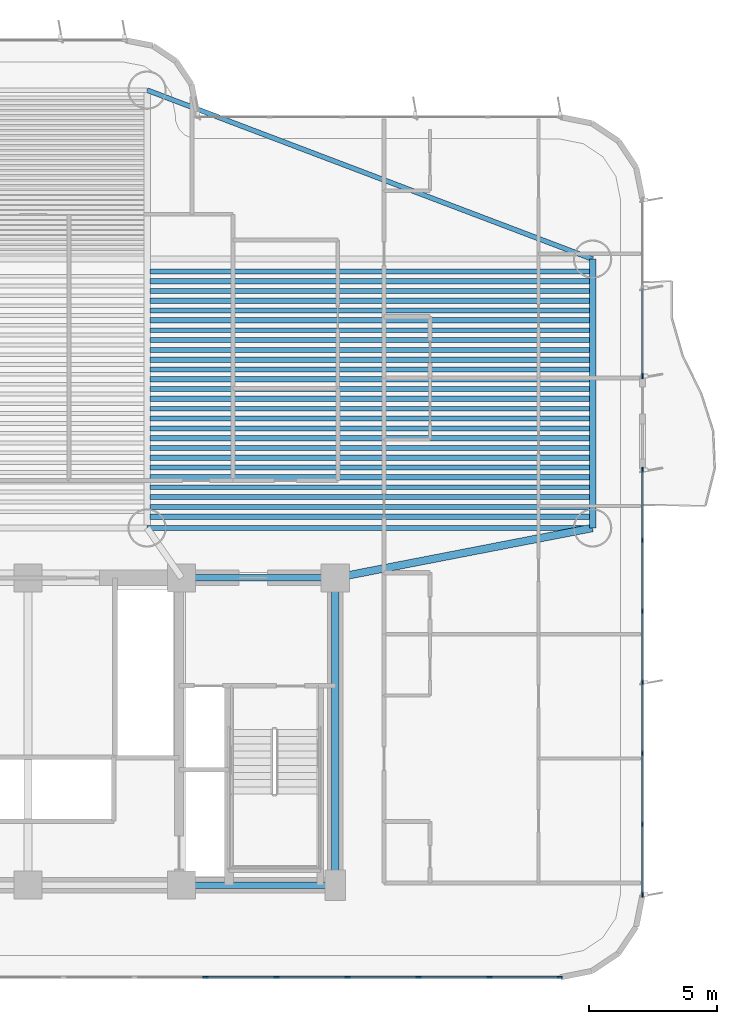
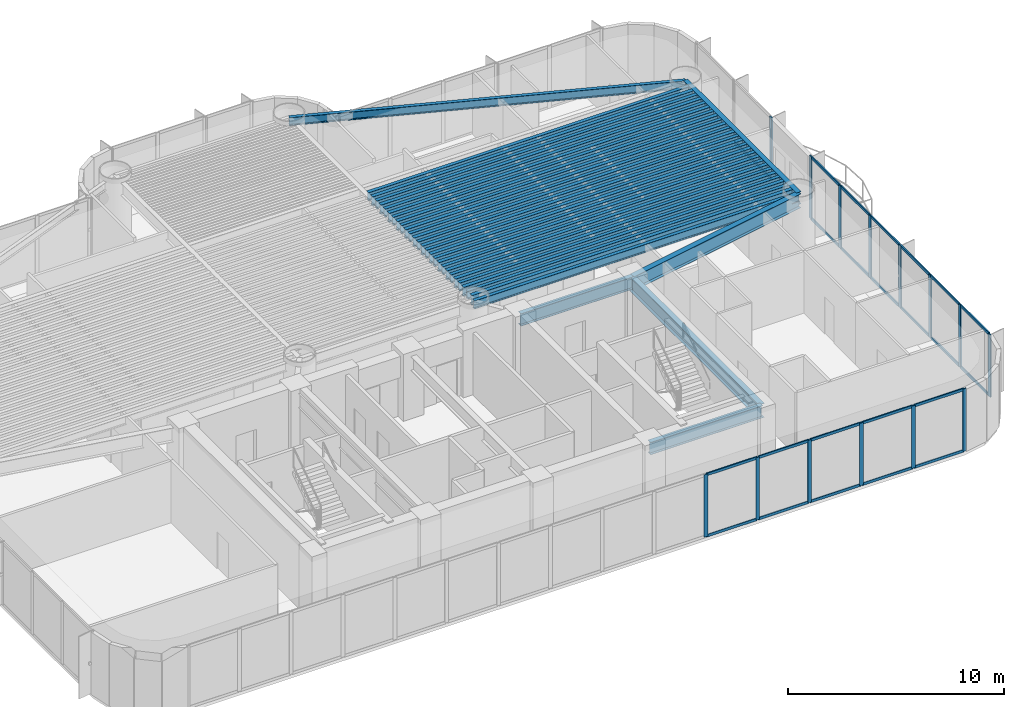
# One storey, part 5 of 18: 37 members, 33 beams, 3 elements without a shape of their own.
"""IFC4 building model written with IfcOpenShell, lengths in metres."""

from ifc_helpers import new_model, si_unit, direction, frame, origin, origin_2d, place, context, subcontext, project, spatial, rectangle, i_section, extrude, source, transform, mapped, material, layer, layer_set, material_profile, profile_set, type_object, element, aggregate, save


model = new_model("IFC4")

# Units and contexts
model_context = context("Model", 3, precision=1e-05, world=origin(), true_north=direction((0.0, 1.0)))
body_context = subcontext(model_context, "Body", "Model", "MODEL_VIEW")
ifc_project = project(units=[si_unit("LENGTHUNIT", "METRE"), si_unit("AREAUNIT", "SQUARE_METRE"), si_unit("VOLUMEUNIT", "CUBIC_METRE"), si_unit("PLANEANGLEUNIT", "RADIAN"), si_unit("MASSUNIT", "GRAM", prefix="KILO")], contexts=[model_context])

# Site, building, storey
site_placement = place(None, origin())
site = spatial("IfcSite", under=ifc_project, at=site_placement, CompositionType="ELEMENT")
building_placement = place(site_placement, origin())
building = spatial("IfcBuilding", under=site, at=building_placement, Name="Brelvock Crest Care Tower", CompositionType="ELEMENT")
storey_placement = place(building_placement, frame((0.0, 0.0, 72.360107421875)))
storey = spatial("IfcBuildingStorey", under=building, at=storey_placement, Name="L18", CompositionType="ELEMENT", Elevation=72.360107421875)

# Beams
ifc_material_1 = material(Name="Steel Grade 350", Category="steel")
ifc_material_profile_1 = material_profile(ifc_material_1, i_section(OverallWidth=0.25, OverallDepth=0.699951171875, WebThickness=0.011962890625, FlangeThickness=0.02001953125, at=origin_2d()), Name="700WB150")
ifc_profile_set_1 = profile_set([ifc_material_profile_1], Name="Steel Grade 350")
beam_type_1 = type_object("IfcBeamType", Name="BM-G4", PredefinedType="BEAM", material=ifc_profile_set_1)
shared_shape_1 = source(origin(), body_context, "Body", "SweptSolid", [
    extrude(i_section(OverallWidth=0.25, OverallDepth=0.699951171875, WebThickness=0.011962890625, FlangeThickness=0.02001953125, at=origin_2d()), origin(), (0.0, 0.0, 1.0), 6.0),
])
for number, where, z_axis, x_axis, name in (
    (1, (42.0, 6.0, 3.179931640625), (1.0, 0.0, 0.0), (0.0, 1.0, 0.0), "BM-CORES-L18-4"),
    (2, (42.0, 18.0, 3.179931640625), (1.0, 0.0, 0.0), (0.0, 1.0, 0.0), "BM-COREN-L18-4"),
):
    element("IfcBeam", number, at=place(storey_placement, frame(where, z_axis=z_axis, x_axis=x_axis)), inside=storey, type_object=beam_type_1, Name=name, PredefinedType="BEAM", context=body_context, shape_type="MappedRepresentation", body=[
        mapped(shared_shape_1, transform((0.0, 0.0, 0.0), x_axis=(1.0, 0.0, 0.0), y_axis=(0.0, 1.0, 0.0), z_axis=(0.0, 0.0, 1.0), scale=1.0)),
    ])
ifc_material_profile_2 = material_profile(ifc_material_1, i_section(OverallWidth=0.300048828125, OverallDepth=0.800048828125, WebThickness=0.013916015625, FlangeThickness=0.02197265625, at=origin_2d()), Name="800WB192")
ifc_profile_set_2 = profile_set([ifc_material_profile_2], Name="Steel Grade 350")
beam_type_2 = type_object("IfcBeamType", Name="BM-G5", PredefinedType="BEAM", material=ifc_profile_set_2)
shared_shape_2 = source(origin(), body_context, "Body", "SweptSolid", [
    extrude(i_section(OverallWidth=0.300048828125, OverallDepth=0.800048828125, WebThickness=0.013916015625, FlangeThickness=0.02197265625, at=origin_2d()), origin(), (0.0, 0.0, 1.0), 12.0),
])
beam_1_placement = place(storey_placement, frame((48.0, 6.0, 3.1298828125), z_axis=(0.0, 1.0, 0.0), x_axis=(-1.0, 0.0, 0.0)))
element("IfcBeam", 3, at=beam_1_placement, inside=storey, type_object=beam_type_2, Name="BM-COREX-L18-5", PredefinedType="BEAM", context=body_context, shape_type="MappedRepresentation", body=[
    mapped(shared_shape_2, transform((0.0, 0.0, 0.0), x_axis=(1.0, 0.0, 0.0), y_axis=(0.0, 1.0, 0.0), z_axis=(0.0, 0.0, 1.0), scale=1.0)),
])
shared_shape_3 = source(origin(), body_context, "Body", "SweptSolid", [
    extrude(i_section(OverallWidth=0.25, OverallDepth=0.699951171875, WebThickness=0.011962890625, FlangeThickness=0.02001953125, at=origin_2d()), origin(), (0.0, 0.0, 1.0), 10.5),
])
beam_2_placement = place(storey_placement, frame((58.050048828125, 19.949951171875, 3.179931640625), z_axis=(0.0, 1.0, 0.0), x_axis=(-1.0, 0.0, 0.0)))
element("IfcBeam", 4, at=beam_2_placement, inside=storey, type_object=beam_type_1, Name="BM-TWR-L18-02", PredefinedType="BEAM", context=body_context, shape_type="MappedRepresentation", body=[
    mapped(shared_shape_3, transform((0.0, 0.0, 0.0), x_axis=(1.0, 0.0, 0.0), y_axis=(0.0, 1.0, 0.0), z_axis=(0.0, 0.0, 1.0), scale=1.0)),
])
ifc_material_profile_3 = material_profile(ifc_material_1, i_section(OverallWidth=0.19091796875, OverallDepth=0.4599609375, WebThickness=0.010009765625, FlangeThickness=0.01611328125, FilletRadius=0.011474609375, at=origin_2d()), Name="460UB82.1")
ifc_profile_set_3 = profile_set([ifc_material_profile_3], Name="Steel Grade 350")
beam_type_3 = type_object("IfcBeamType", Name="BM-SP2", PredefinedType="SPANDREL", material=ifc_profile_set_3)
shared_shape_4 = source(origin(), body_context, "Body", "SweptSolid", [
    extrude(i_section(OverallWidth=0.19091796875, OverallDepth=0.4599609375, WebThickness=0.010009765625, FlangeThickness=0.01611328125, FilletRadius=0.011474609375, at=origin_2d()), origin(), (0.0, 0.0, 1.0), 17.400146484375),
])
beam_3_placement = place(storey_placement, frame((40.64990234375, 19.949951171875, 3.2998046875), z_axis=(1.0, 0.0, 0.0), x_axis=(0.0, 1.0, 0.0)))
element("IfcBeam", 5, at=beam_3_placement, inside=storey, type_object=beam_type_3, Name="BM-TWR-L18-04", PredefinedType="SPANDREL", context=body_context, shape_type="MappedRepresentation", body=[
    mapped(shared_shape_4, transform((0.0, 0.0, 0.0), x_axis=(1.0, 0.0, 0.0), y_axis=(0.0, 1.0, 0.0), z_axis=(0.0, 0.0, 1.0), scale=1.0)),
])
shared_shape_5 = source(origin(), body_context, "Body", "SweptSolid", [
    extrude(i_section(OverallWidth=0.19091796875, OverallDepth=0.4599609375, WebThickness=0.010009765625, FlangeThickness=0.01611328125, FilletRadius=0.011474609375, at=origin_2d()), origin(), (0.0, 0.0, 1.0), 18.60986328125),
])
beam_4_placement = place(storey_placement, frame((40.64990234375, 37.050048828125, 3.2998046875), z_axis=(0.934996776275, -0.3546562115, 0.0), x_axis=(0.3546562115, 0.934996776275, 0.0)))
element("IfcBeam", 6, at=beam_4_placement, inside=storey, type_object=beam_type_3, Name="BM-TWR-L18-07", PredefinedType="SPANDREL", context=body_context, shape_type="MappedRepresentation", body=[
    mapped(shared_shape_5, transform((0.0, 0.0, 0.0), x_axis=(1.0, 0.0, 0.0), y_axis=(0.0, 1.0, 0.0), z_axis=(0.0, 0.0, 1.0), scale=1.0)),
])
shared_shape_6 = source(origin(), body_context, "Body", "SweptSolid", [
    extrude(i_section(OverallWidth=0.300048828125, OverallDepth=0.800048828125, WebThickness=0.013916015625, FlangeThickness=0.02197265625, at=origin_2d()), origin(), (0.0, 0.0, 1.0), 10.237548828125),
])
beam_5_placement = place(storey_placement, frame((48.0, 18.0, 3.1298828125), z_axis=(0.981692632568, 0.190471979991, 0.0), x_axis=(-0.190471979991, 0.981692632568, 0.0)))
element("IfcBeam", 7, at=beam_5_placement, inside=storey, type_object=beam_type_2, Name="BM-THRO-E-L18", PredefinedType="BEAM", context=body_context, shape_type="MappedRepresentation", body=[
    mapped(shared_shape_6, transform((0.0, 0.0, 0.0), x_axis=(1.0, 0.0, 0.0), y_axis=(0.0, 1.0, 0.0), z_axis=(0.0, 0.0, 1.0), scale=1.0)),
])
ifc_material_profile_4 = material_profile(ifc_material_1, i_section(OverallWidth=0.208984375, OverallDepth=0.532958984375, WebThickness=0.01025390625, FlangeThickness=0.015625, FilletRadius=0.013916015625, at=origin_2d()), Name="530UB92.4")
ifc_profile_set_4 = profile_set([ifc_material_profile_4], Name="Steel Grade 350")
beam_type_4 = type_object("IfcBeamType", Name="BM-G2", PredefinedType="BEAM", material=ifc_profile_set_4)
shared_shape_7 = source(origin(), body_context, "Body", "SweptSolid", [
    extrude(i_section(OverallWidth=0.208984375, OverallDepth=0.532958984375, WebThickness=0.01025390625, FlangeThickness=0.015625, FilletRadius=0.013916015625, at=origin_2d()), origin(), (0.0, 0.0, 1.0), 17.170166015625),
])
for number, where, z_axis, x_axis, name in (
    (8, (40.764892578125, 20.39111328125, 3.263427734375), (1.0, 0.0, 0.0), (0.0, 1.0, 0.0), "BM-JE-L18-1"),
    (9, (40.764892578125, 21.157470703125, 3.263427734375), (1.0, 0.0, 0.0), (0.0, 1.0, 0.0), "BM-JE-L18-3"),
    (10, (40.764892578125, 21.924072265625, 3.263427734375), (1.0, 0.0, 0.0), (0.0, 1.0, 0.0), "BM-JE-L18-5"),
    (11, (40.764892578125, 22.6904296875, 3.263427734375), (1.0, 0.0, 0.0), (0.0, 1.0, 0.0), "BM-JE-L18-7"),
    (12, (40.764892578125, 23.45703125, 3.263427734375), (1.0, 0.0, 0.0), (0.0, 1.0, 0.0), "BM-JE-L18-9"),
    (13, (40.764892578125, 24.223388671875, 3.263427734375), (1.0, 0.0, 0.0), (0.0, 1.0, 0.0), "BM-JE-L18-11"),
    (14, (40.764892578125, 24.989990234375, 3.263427734375), (1.0, 0.0, 0.0), (0.0, 1.0, 0.0), "BM-JE-L18-13"),
    (15, (40.764892578125, 25.756591796875, 3.263427734375), (1.0, 0.0, 0.0), (0.0, 1.0, 0.0), "BM-JE-L18-15"),
    (16, (40.764892578125, 26.52294921875, 3.263427734375), (1.0, 0.0, 0.0), (0.0, 1.0, 0.0), "BM-JE-L18-17"),
    (17, (40.764892578125, 27.28955078125, 3.263427734375), (1.0, 0.0, 0.0), (0.0, 1.0, 0.0), "BM-JE-L18-19"),
    (18, (40.764892578125, 28.055908203125, 3.263427734375), (1.0, 0.0, 0.0), (0.0, 1.0, 0.0), "BM-JE-L18-21"),
    (19, (40.764892578125, 28.822509765625, 3.263427734375), (1.0, 0.0, 0.0), (0.0, 1.0, 0.0), "BM-JE-L18-23"),
    (20, (40.764892578125, 29.589111328125, 3.263427734375), (1.0, 0.0, 0.0), (0.0, 1.0, 0.0), "BM-JE-L18-25"),
):
    element("IfcBeam", number, at=place(storey_placement, frame(where, z_axis=z_axis, x_axis=x_axis)), inside=storey, type_object=beam_type_4, Name=name, PredefinedType="BEAM", context=body_context, shape_type="MappedRepresentation", body=[
        mapped(shared_shape_7, transform((0.0, 0.0, 0.0), x_axis=(1.0, 0.0, 0.0), y_axis=(0.0, 1.0, 0.0), z_axis=(0.0, 0.0, 1.0), scale=1.0)),
    ])
ifc_material_profile_5 = material_profile(ifc_material_1, i_section(OverallWidth=0.19091796875, OverallDepth=0.4599609375, WebThickness=0.010009765625, FlangeThickness=0.01611328125, FilletRadius=0.011474609375, at=origin_2d()), Name="460UB82.1")
ifc_profile_set_5 = profile_set([ifc_material_profile_5], Name="Steel Grade 350")
beam_type_5 = type_object("IfcBeamType", Name="BM-G3", PredefinedType="BEAM", material=ifc_profile_set_5)
shared_shape_8 = source(origin(), body_context, "Body", "SweptSolid", [
    extrude(i_section(OverallWidth=0.19091796875, OverallDepth=0.4599609375, WebThickness=0.010009765625, FlangeThickness=0.01611328125, FilletRadius=0.011474609375, at=origin_2d()), origin(), (0.0, 0.0, 1.0), 17.170166015625),
])
for number, where, z_axis, x_axis, name in (
    (21, (40.764892578125, 20.774169921875, 3.2998046875), (1.0, 0.0, 0.0), (0.0, 1.0, 0.0), "BM-JE-L18-2"),
    (22, (40.764892578125, 21.540771484375, 3.2998046875), (1.0, 0.0, 0.0), (0.0, 1.0, 0.0), "BM-JE-L18-4"),
    (23, (40.764892578125, 22.30712890625, 3.2998046875), (1.0, 0.0, 0.0), (0.0, 1.0, 0.0), "BM-JE-L18-6"),
    (24, (40.764892578125, 23.07373046875, 3.2998046875), (1.0, 0.0, 0.0), (0.0, 1.0, 0.0), "BM-JE-L18-8"),
    (25, (40.764892578125, 23.840087890625, 3.2998046875), (1.0, 0.0, 0.0), (0.0, 1.0, 0.0), "BM-JE-L18-10"),
    (26, (40.764892578125, 24.606689453125, 3.2998046875), (1.0, 0.0, 0.0), (0.0, 1.0, 0.0), "BM-JE-L18-12"),
    (27, (40.764892578125, 25.373291015625, 3.2998046875), (1.0, 0.0, 0.0), (0.0, 1.0, 0.0), "BM-JE-L18-14"),
    (28, (40.764892578125, 26.1396484375, 3.2998046875), (1.0, 0.0, 0.0), (0.0, 1.0, 0.0), "BM-JE-L18-16"),
    (29, (40.764892578125, 26.90625, 3.2998046875), (1.0, 0.0, 0.0), (0.0, 1.0, 0.0), "BM-JE-L18-18"),
    (30, (40.764892578125, 27.6728515625, 3.2998046875), (1.0, 0.0, 0.0), (0.0, 1.0, 0.0), "BM-JE-L18-20"),
    (31, (40.764892578125, 28.439208984375, 3.2998046875), (1.0, 0.0, 0.0), (0.0, 1.0, 0.0), "BM-JE-L18-22"),
    (32, (40.764892578125, 29.205810546875, 3.2998046875), (1.0, 0.0, 0.0), (0.0, 1.0, 0.0), "BM-JE-L18-24"),
    (33, (40.764892578125, 29.97216796875, 3.2998046875), (1.0, 0.0, 0.0), (0.0, 1.0, 0.0), "BM-JE-L18-26"),
):
    element("IfcBeam", number, at=place(storey_placement, frame(where, z_axis=z_axis, x_axis=x_axis)), inside=storey, type_object=beam_type_5, Name=name, PredefinedType="BEAM", context=body_context, shape_type="MappedRepresentation", body=[
        mapped(shared_shape_8, transform((0.0, 0.0, 0.0), x_axis=(1.0, 0.0, 0.0), y_axis=(0.0, 1.0, 0.0), z_axis=(0.0, 0.0, 1.0), scale=1.0)),
    ])

# Curtain wall, members
ifc_material_2 = material(Name="Dark Glass Double Glazed Low-E", Category="glass")
ifc_layer = layer(ifc_material_2, 0.195068359375, Name="CWS-2")
ifc_layer_set = layer_set([ifc_layer], Name="Dark Glass Double Glazed Low-E")
curtain_wall_type = type_object("IfcCurtainWallType", Name="CWS-2", PredefinedType="NOTDEFINED", material=ifc_layer_set)
curtain_wall_1_placement = place(storey_placement, origin())
curtain_wall_1 = element("IfcCurtainWall", 34, at=curtain_wall_1_placement, inside=storey, type_object=curtain_wall_type, Name="L18 Curtain Wall E08", PredefinedType="NOTDEFINED")
ifc_material_3 = material(Name="Aluminium 6063-T6", Category="aluminium")
ifc_material_profile_6 = material_profile(ifc_material_3, rectangle(XDim=0.06494140625, YDim=0.14990234375, at=origin_2d()), Name="ALU65x150")
ifc_profile_set_6 = profile_set([ifc_material_profile_6], Name="Aluminium 6063-T6")
member_type_1 = type_object("IfcMemberType", Name="CWT-1", PredefinedType="USERDEFINED", material=ifc_profile_set_6)
shared_shape_9 = source(origin(), body_context, "Body", "SweptSolid", [
    extrude(rectangle(XDim=0.06494140625, YDim=0.14990234375, at=origin_2d()), origin(), (0.0, 0.0, 1.0), 2.676025390625),
])
member_1_placement = place(storey_placement, frame((56.735107421875, 2.39990234375, 0.032470703125), z_axis=(-1.0, 0.0, 0.0), x_axis=(0.0, -1.0, 0.0)))
member_1 = element("IfcMember", 35, at=member_1_placement, type_object=member_type_1, Name="CW-2 transom 1.1", ObjectType="TRANSOM", PredefinedType="USERDEFINED", context=body_context, shape_type="MappedRepresentation", body=[
    mapped(shared_shape_9, transform((0.0, 0.0, 0.0), x_axis=(1.0, 0.0, 0.0), y_axis=(0.0, 1.0, 0.0), z_axis=(0.0, 0.0, 1.0), scale=1.0)),
])
member_2_placement = place(storey_placement, frame((56.735107421875, 2.39990234375, 3.497314453125), z_axis=(-1.0, 0.0, 0.0), x_axis=(0.0, -1.0, 0.0)))
member_2 = element("IfcMember", 36, at=member_2_placement, type_object=member_type_1, Name="CW-2 transom 1.2", ObjectType="TRANSOM", PredefinedType="USERDEFINED", context=body_context, shape_type="MappedRepresentation", body=[
    mapped(shared_shape_9, transform((0.0, 0.0, 0.0), x_axis=(1.0, 0.0, 0.0), y_axis=(0.0, 1.0, 0.0), z_axis=(0.0, 0.0, 1.0), scale=1.0)),
])
shared_shape_10 = source(origin(), body_context, "Body", "SweptSolid", [
    extrude(rectangle(XDim=0.06494140625, YDim=0.14990234375, at=origin_2d()), origin(), (0.0, 0.0, 1.0), 2.708251953125),
])
member_3_placement = place(storey_placement, frame((53.994140625, 2.39990234375, 0.032470703125), z_axis=(-1.0, 0.0, 0.0), x_axis=(0.0, -1.0, 0.0)))
member_3 = element("IfcMember", 37, at=member_3_placement, type_object=member_type_1, Name="CW-2 transom 2.1", ObjectType="TRANSOM", PredefinedType="USERDEFINED", context=body_context, shape_type="MappedRepresentation", body=[
    mapped(shared_shape_10, transform((0.0, 0.0, 0.0), x_axis=(1.0, 0.0, 0.0), y_axis=(0.0, 1.0, 0.0), z_axis=(0.0, 0.0, 1.0), scale=1.0)),
])
member_4_placement = place(storey_placement, frame((53.994140625, 2.39990234375, 3.497314453125), z_axis=(-1.0, 0.0, 0.0), x_axis=(0.0, -1.0, 0.0)))
member_4 = element("IfcMember", 38, at=member_4_placement, type_object=member_type_1, Name="CW-2 transom 2.2", ObjectType="TRANSOM", PredefinedType="USERDEFINED", context=body_context, shape_type="MappedRepresentation", body=[
    mapped(shared_shape_10, transform((0.0, 0.0, 0.0), x_axis=(1.0, 0.0, 0.0), y_axis=(0.0, 1.0, 0.0), z_axis=(0.0, 0.0, 1.0), scale=1.0)),
])
member_5_placement = place(storey_placement, frame((48.447509765625, 2.39990234375, 0.032470703125), z_axis=(-1.0, 0.0, 0.0), x_axis=(0.0, -1.0, 0.0)))
member_5 = element("IfcMember", 39, at=member_5_placement, type_object=member_type_1, Name="CW-2 transom 4.1", ObjectType="TRANSOM", PredefinedType="USERDEFINED", context=body_context, shape_type="MappedRepresentation", body=[
    mapped(shared_shape_10, transform((0.0, 0.0, 0.0), x_axis=(1.0, 0.0, 0.0), y_axis=(0.0, 1.0, 0.0), z_axis=(0.0, 0.0, 1.0), scale=1.0)),
])
member_6_placement = place(storey_placement, frame((48.447509765625, 2.39990234375, 3.497314453125), z_axis=(-1.0, 0.0, 0.0), x_axis=(0.0, -1.0, 0.0)))
member_6 = element("IfcMember", 40, at=member_6_placement, type_object=member_type_1, Name="CW-2 transom 4.2", ObjectType="TRANSOM", PredefinedType="USERDEFINED", context=body_context, shape_type="MappedRepresentation", body=[
    mapped(shared_shape_10, transform((0.0, 0.0, 0.0), x_axis=(1.0, 0.0, 0.0), y_axis=(0.0, 1.0, 0.0), z_axis=(0.0, 0.0, 1.0), scale=1.0)),
])
member_7_placement = place(storey_placement, frame((45.674072265625, 2.39990234375, 0.032470703125), z_axis=(-1.0, 0.0, 0.0), x_axis=(0.0, -1.0, 0.0)))
member_7 = element("IfcMember", 41, at=member_7_placement, type_object=member_type_1, Name="CW-2 transom 5.1", ObjectType="TRANSOM", PredefinedType="USERDEFINED", context=body_context, shape_type="MappedRepresentation", body=[
    mapped(shared_shape_10, transform((0.0, 0.0, 0.0), x_axis=(1.0, 0.0, 0.0), y_axis=(0.0, 1.0, 0.0), z_axis=(0.0, 0.0, 1.0), scale=1.0)),
])
member_8_placement = place(storey_placement, frame((45.674072265625, 2.39990234375, 3.497314453125), z_axis=(-1.0, 0.0, 0.0), x_axis=(0.0, -1.0, 0.0)))
member_8 = element("IfcMember", 42, at=member_8_placement, type_object=member_type_1, Name="CW-2 transom 5.2", ObjectType="TRANSOM", PredefinedType="USERDEFINED", context=body_context, shape_type="MappedRepresentation", body=[
    mapped(shared_shape_10, transform((0.0, 0.0, 0.0), x_axis=(1.0, 0.0, 0.0), y_axis=(0.0, 1.0, 0.0), z_axis=(0.0, 0.0, 1.0), scale=1.0)),
])
shared_shape_11 = source(origin(), body_context, "Body", "SweptSolid", [
    extrude(rectangle(XDim=0.06494140625, YDim=0.14990234375, at=origin_2d()), origin(), (0.0, 0.0, 1.0), 2.70849609375),
])
member_9_placement = place(storey_placement, frame((51.220947265625, 2.39990234375, 0.032470703125), z_axis=(-1.0, 0.0, 0.0), x_axis=(0.0, -1.0, 0.0)))
member_9 = element("IfcMember", 43, at=member_9_placement, type_object=member_type_1, Name="CW-2 transom 3.1", ObjectType="TRANSOM", PredefinedType="USERDEFINED", context=body_context, shape_type="MappedRepresentation", body=[
    mapped(shared_shape_11, transform((0.0, 0.0, 0.0), x_axis=(1.0, 0.0, 0.0), y_axis=(0.0, 1.0, 0.0), z_axis=(0.0, 0.0, 1.0), scale=1.0)),
])
member_10_placement = place(storey_placement, frame((51.220947265625, 2.39990234375, 3.497314453125), z_axis=(-1.0, 0.0, 0.0), x_axis=(0.0, -1.0, 0.0)))
member_10 = element("IfcMember", 44, at=member_10_placement, type_object=member_type_1, Name="CW-2 transom 3.2", ObjectType="TRANSOM", PredefinedType="USERDEFINED", context=body_context, shape_type="MappedRepresentation", body=[
    mapped(shared_shape_11, transform((0.0, 0.0, 0.0), x_axis=(1.0, 0.0, 0.0), y_axis=(0.0, 1.0, 0.0), z_axis=(0.0, 0.0, 1.0), scale=1.0)),
])

# Curtain wall, member
curtain_wall_2_placement = place(storey_placement, origin())
curtain_wall_2 = element("IfcCurtainWall", 45, at=curtain_wall_2_placement, inside=storey, type_object=curtain_wall_type, Name="L18 Curtain Wall E03A", PredefinedType="NOTDEFINED")
ifc_material_profile_7 = material_profile(ifc_material_3, rectangle(XDim=0.06494140625, YDim=0.199951171875, at=origin_2d()), Name="ALU65x200")
ifc_profile_set_7 = profile_set([ifc_material_profile_7], Name="Aluminium 6063-T6")
member_type_2 = type_object("IfcMemberType", Name="CWM-1", PredefinedType="MULLION", material=ifc_profile_set_7)
shared_shape_12 = source(origin(), body_context, "Body", "SweptSolid", [
    extrude(rectangle(XDim=0.06494140625, YDim=0.199951171875, at=origin_2d()), origin(), (0.0, 0.0, 1.0), 3.52978515625),
])
member_11_placement = place(storey_placement, frame((60.0, 25.882568359375, 0.0), z_axis=(0.0, 0.0, 1.0), x_axis=(1.0, 0.0, 0.0)))
member_11 = element("IfcMember", 46, at=member_11_placement, type_object=member_type_2, Name="CW-2 mullion 3", PredefinedType="MULLION", context=body_context, shape_type="MappedRepresentation", body=[
    mapped(shared_shape_12, transform((0.0, 0.0, 0.0), x_axis=(1.0, 0.0, 0.0), y_axis=(0.0, 1.0, 0.0), z_axis=(0.0, 0.0, 1.0), scale=1.0)),
])

# Curtain wall, members
curtain_wall_3_placement = place(storey_placement, origin())
curtain_wall_3 = element("IfcCurtainWall", 47, at=curtain_wall_3_placement, inside=storey, type_object=curtain_wall_type, Name="L18 Curtain Wall E03B", PredefinedType="NOTDEFINED")
member_12_placement = place(storey_placement, frame((60.0, 22.217529296875, 0.0), z_axis=(0.0, 0.0, 1.0), x_axis=(1.0, 0.0, 0.0)))
member_12 = element("IfcMember", 48, at=member_12_placement, type_object=member_type_2, Name="CW-2 mullion 1", PredefinedType="MULLION", context=body_context, shape_type="MappedRepresentation", body=[
    mapped(shared_shape_12, transform((0.0, 0.0, 0.0), x_axis=(1.0, 0.0, 0.0), y_axis=(0.0, 1.0, 0.0), z_axis=(0.0, 0.0, 1.0), scale=1.0)),
])
member_13_placement = place(storey_placement, frame((60.0, 19.47509765625, 0.0), z_axis=(0.0, 0.0, 1.0), x_axis=(1.0, 0.0, 0.0)))
member_13 = element("IfcMember", 49, at=member_13_placement, type_object=member_type_2, Name="CW-2 mullion 2", PredefinedType="MULLION", context=body_context, shape_type="MappedRepresentation", body=[
    mapped(shared_shape_12, transform((0.0, 0.0, 0.0), x_axis=(1.0, 0.0, 0.0), y_axis=(0.0, 1.0, 0.0), z_axis=(0.0, 0.0, 1.0), scale=1.0)),
])
member_14_placement = place(storey_placement, frame((60.0, 16.699951171875, 0.0), z_axis=(0.0, 0.0, 1.0), x_axis=(1.0, 0.0, 0.0)))
member_14 = element("IfcMember", 50, at=member_14_placement, type_object=member_type_2, Name="CW-2 mullion 3", PredefinedType="MULLION", context=body_context, shape_type="MappedRepresentation", body=[
    mapped(shared_shape_12, transform((0.0, 0.0, 0.0), x_axis=(1.0, 0.0, 0.0), y_axis=(0.0, 1.0, 0.0), z_axis=(0.0, 0.0, 1.0), scale=1.0)),
])
member_15_placement = place(storey_placement, frame((60.0, 13.925048828125, 0.0), z_axis=(0.0, 0.0, 1.0), x_axis=(1.0, 0.0, 0.0)))
member_15 = element("IfcMember", 51, at=member_15_placement, type_object=member_type_2, Name="CW-2 mullion 4", PredefinedType="MULLION", context=body_context, shape_type="MappedRepresentation", body=[
    mapped(shared_shape_12, transform((0.0, 0.0, 0.0), x_axis=(1.0, 0.0, 0.0), y_axis=(0.0, 1.0, 0.0), z_axis=(0.0, 0.0, 1.0), scale=1.0)),
])
member_16_placement = place(storey_placement, frame((60.0, 11.14990234375, 0.0), z_axis=(0.0, 0.0, 1.0), x_axis=(1.0, 0.0, 0.0)))
member_16 = element("IfcMember", 52, at=member_16_placement, type_object=member_type_2, Name="CW-2 mullion 5", PredefinedType="MULLION", context=body_context, shape_type="MappedRepresentation", body=[
    mapped(shared_shape_12, transform((0.0, 0.0, 0.0), x_axis=(1.0, 0.0, 0.0), y_axis=(0.0, 1.0, 0.0), z_axis=(0.0, 0.0, 1.0), scale=1.0)),
])
member_17_placement = place(storey_placement, frame((60.0, 8.375, 0.0), z_axis=(0.0, 0.0, 1.0), x_axis=(1.0, 0.0, 0.0)))
member_17 = element("IfcMember", 53, at=member_17_placement, type_object=member_type_2, Name="CW-2 mullion 6", PredefinedType="MULLION", context=body_context, shape_type="MappedRepresentation", body=[
    mapped(shared_shape_12, transform((0.0, 0.0, 0.0), x_axis=(1.0, 0.0, 0.0), y_axis=(0.0, 1.0, 0.0), z_axis=(0.0, 0.0, 1.0), scale=1.0)),
])
member_18_placement = place(storey_placement, frame((60.0, 5.632568359375, 0.0), z_axis=(0.0, 0.0, 1.0), x_axis=(1.0, 0.0, 0.0)))
member_18 = element("IfcMember", 54, at=member_18_placement, type_object=member_type_2, Name="CW-2 mullion 7", PredefinedType="MULLION", context=body_context, shape_type="MappedRepresentation", body=[
    mapped(shared_shape_12, transform((0.0, 0.0, 0.0), x_axis=(1.0, 0.0, 0.0), y_axis=(0.0, 1.0, 0.0), z_axis=(0.0, 0.0, 1.0), scale=1.0)),
])

# Member
member_19_placement = place(storey_placement, frame((56.767578125, 2.39990234375, 0.0), z_axis=(0.0, 0.0, 1.0), x_axis=(0.0, -1.0, 0.0)))
member_19 = element("IfcMember", 55, at=member_19_placement, type_object=member_type_2, Name="CW-2 mullion 1", PredefinedType="MULLION", context=body_context, shape_type="MappedRepresentation", body=[
    mapped(shared_shape_12, transform((0.0, 0.0, 0.0), x_axis=(1.0, 0.0, 0.0), y_axis=(0.0, 1.0, 0.0), z_axis=(0.0, 0.0, 1.0), scale=1.0)),
])

member_20_placement = place(storey_placement, frame((54.026611328125, 2.39990234375, 0.0), z_axis=(0.0, 0.0, 1.0), x_axis=(0.0, -1.0, 0.0)))
member_20 = element("IfcMember", 56, at=member_20_placement, type_object=member_type_2, Name="CW-2 mullion 2", PredefinedType="MULLION", context=body_context, shape_type="MappedRepresentation", body=[
    mapped(shared_shape_12, transform((0.0, 0.0, 0.0), x_axis=(1.0, 0.0, 0.0), y_axis=(0.0, 1.0, 0.0), z_axis=(0.0, 0.0, 1.0), scale=1.0)),
])

member_21_placement = place(storey_placement, frame((51.25341796875, 2.39990234375, 0.0), z_axis=(0.0, 0.0, 1.0), x_axis=(0.0, -1.0, 0.0)))
member_21 = element("IfcMember", 57, at=member_21_placement, type_object=member_type_2, Name="CW-2 mullion 3", PredefinedType="MULLION", context=body_context, shape_type="MappedRepresentation", body=[
    mapped(shared_shape_12, transform((0.0, 0.0, 0.0), x_axis=(1.0, 0.0, 0.0), y_axis=(0.0, 1.0, 0.0), z_axis=(0.0, 0.0, 1.0), scale=1.0)),
])

member_22_placement = place(storey_placement, frame((48.47998046875, 2.39990234375, 0.0), z_axis=(0.0, 0.0, 1.0), x_axis=(0.0, -1.0, 0.0)))
member_22 = element("IfcMember", 58, at=member_22_placement, type_object=member_type_2, Name="CW-2 mullion 4", PredefinedType="MULLION", context=body_context, shape_type="MappedRepresentation", body=[
    mapped(shared_shape_12, transform((0.0, 0.0, 0.0), x_axis=(1.0, 0.0, 0.0), y_axis=(0.0, 1.0, 0.0), z_axis=(0.0, 0.0, 1.0), scale=1.0)),
])

member_23_placement = place(storey_placement, frame((45.706787109375, 2.39990234375, 0.0), z_axis=(0.0, 0.0, 1.0), x_axis=(0.0, -1.0, 0.0)))
member_23 = element("IfcMember", 59, at=member_23_placement, type_object=member_type_2, Name="CW-2 mullion 5", PredefinedType="MULLION", context=body_context, shape_type="MappedRepresentation", body=[
    mapped(shared_shape_12, transform((0.0, 0.0, 0.0), x_axis=(1.0, 0.0, 0.0), y_axis=(0.0, 1.0, 0.0), z_axis=(0.0, 0.0, 1.0), scale=1.0)),
])

member_24_placement = place(storey_placement, frame((42.933349609375, 2.39990234375, 0.0), z_axis=(0.0, 0.0, 1.0), x_axis=(0.0, -1.0, 0.0)))
member_24 = element("IfcMember", 60, at=member_24_placement, type_object=member_type_2, Name="CW-2 mullion 6", PredefinedType="MULLION", context=body_context, shape_type="MappedRepresentation", body=[
    mapped(shared_shape_12, transform((0.0, 0.0, 0.0), x_axis=(1.0, 0.0, 0.0), y_axis=(0.0, 1.0, 0.0), z_axis=(0.0, 0.0, 1.0), scale=1.0)),
])

aggregate(curtain_wall_1, [member_19, member_20, member_21, member_22, member_23, member_24, member_1, member_2, member_3, member_4, member_9, member_10, member_5, member_6, member_7, member_8])

shared_shape_13 = source(origin(), body_context, "Body", "SweptSolid", [
    extrude(rectangle(XDim=0.06494140625, YDim=0.14990234375, at=origin_2d()), origin(), (0.0, 0.0, 1.0), 3.37744140625),
])
member_25_placement = place(storey_placement, frame((60.0, 29.29248046875, 0.032470703125), z_axis=(0.0, -1.0, 0.0), x_axis=(1.0, 0.0, 0.0)))
member_25 = element("IfcMember", 61, at=member_25_placement, type_object=member_type_1, Name="CW-2 transom 2.1", ObjectType="TRANSOM", PredefinedType="USERDEFINED", context=body_context, shape_type="MappedRepresentation", body=[
    mapped(shared_shape_13, transform((0.0, 0.0, 0.0), x_axis=(1.0, 0.0, 0.0), y_axis=(0.0, 1.0, 0.0), z_axis=(0.0, 0.0, 1.0), scale=1.0)),
])

aggregate(curtain_wall_2, [member_11, member_25])

shared_shape_14 = source(origin(), body_context, "Body", "SweptSolid", [
    extrude(rectangle(XDim=0.06494140625, YDim=0.14990234375, at=origin_2d()), origin(), (0.0, 0.0, 1.0), 2.677490234375),
])
member_26_placement = place(storey_placement, frame((60.0, 22.18505859375, 0.032470703125), z_axis=(0.0, -1.0, 0.0), x_axis=(1.0, 0.0, 0.0)))
member_26 = element("IfcMember", 62, at=member_26_placement, type_object=member_type_1, Name="CW-2 transom 1.1", ObjectType="TRANSOM", PredefinedType="USERDEFINED", context=body_context, shape_type="MappedRepresentation", body=[
    mapped(shared_shape_14, transform((0.0, 0.0, 0.0), x_axis=(1.0, 0.0, 0.0), y_axis=(0.0, 1.0, 0.0), z_axis=(0.0, 0.0, 1.0), scale=1.0)),
])

member_27_placement = place(storey_placement, frame((60.0, 22.18505859375, 3.497314453125), z_axis=(0.0, -1.0, 0.0), x_axis=(1.0, 0.0, 0.0)))
member_27 = element("IfcMember", 63, at=member_27_placement, type_object=member_type_1, Name="CW-2 transom 1.2", ObjectType="TRANSOM", PredefinedType="USERDEFINED", context=body_context, shape_type="MappedRepresentation", body=[
    mapped(shared_shape_14, transform((0.0, 0.0, 0.0), x_axis=(1.0, 0.0, 0.0), y_axis=(0.0, 1.0, 0.0), z_axis=(0.0, 0.0, 1.0), scale=1.0)),
])

member_28_placement = place(storey_placement, frame((60.0, 8.342529296875, 0.032470703125), z_axis=(0.0, -1.0, 0.0), x_axis=(1.0, 0.0, 0.0)))
member_28 = element("IfcMember", 64, at=member_28_placement, type_object=member_type_1, Name="CW-2 transom 6.1", ObjectType="TRANSOM", PredefinedType="USERDEFINED", context=body_context, shape_type="MappedRepresentation", body=[
    mapped(shared_shape_14, transform((0.0, 0.0, 0.0), x_axis=(1.0, 0.0, 0.0), y_axis=(0.0, 1.0, 0.0), z_axis=(0.0, 0.0, 1.0), scale=1.0)),
])

member_29_placement = place(storey_placement, frame((60.0, 8.342529296875, 3.497314453125), z_axis=(0.0, -1.0, 0.0), x_axis=(1.0, 0.0, 0.0)))
member_29 = element("IfcMember", 65, at=member_29_placement, type_object=member_type_1, Name="CW-2 transom 6.2", ObjectType="TRANSOM", PredefinedType="USERDEFINED", context=body_context, shape_type="MappedRepresentation", body=[
    mapped(shared_shape_14, transform((0.0, 0.0, 0.0), x_axis=(1.0, 0.0, 0.0), y_axis=(0.0, 1.0, 0.0), z_axis=(0.0, 0.0, 1.0), scale=1.0)),
])

shared_shape_15 = source(origin(), body_context, "Body", "SweptSolid", [
    extrude(rectangle(XDim=0.06494140625, YDim=0.14990234375, at=origin_2d()), origin(), (0.0, 0.0, 1.0), 2.7099609375),
])
member_30_placement = place(storey_placement, frame((60.0, 19.4423828125, 0.032470703125), z_axis=(0.0, -1.0, 0.0), x_axis=(1.0, 0.0, 0.0)))
member_30 = element("IfcMember", 66, at=member_30_placement, type_object=member_type_1, Name="CW-2 transom 2.1", ObjectType="TRANSOM", PredefinedType="USERDEFINED", context=body_context, shape_type="MappedRepresentation", body=[
    mapped(shared_shape_15, transform((0.0, 0.0, 0.0), x_axis=(1.0, 0.0, 0.0), y_axis=(0.0, 1.0, 0.0), z_axis=(0.0, 0.0, 1.0), scale=1.0)),
])

member_31_placement = place(storey_placement, frame((60.0, 19.4423828125, 3.497314453125), z_axis=(0.0, -1.0, 0.0), x_axis=(1.0, 0.0, 0.0)))
member_31 = element("IfcMember", 67, at=member_31_placement, type_object=member_type_1, Name="CW-2 transom 2.2", ObjectType="TRANSOM", PredefinedType="USERDEFINED", context=body_context, shape_type="MappedRepresentation", body=[
    mapped(shared_shape_15, transform((0.0, 0.0, 0.0), x_axis=(1.0, 0.0, 0.0), y_axis=(0.0, 1.0, 0.0), z_axis=(0.0, 0.0, 1.0), scale=1.0)),
])

member_32_placement = place(storey_placement, frame((60.0, 16.66748046875, 0.032470703125), z_axis=(0.0, -1.0, 0.0), x_axis=(1.0, 0.0, 0.0)))
member_32 = element("IfcMember", 68, at=member_32_placement, type_object=member_type_1, Name="CW-2 transom 3.1", ObjectType="TRANSOM", PredefinedType="USERDEFINED", context=body_context, shape_type="MappedRepresentation", body=[
    mapped(shared_shape_15, transform((0.0, 0.0, 0.0), x_axis=(1.0, 0.0, 0.0), y_axis=(0.0, 1.0, 0.0), z_axis=(0.0, 0.0, 1.0), scale=1.0)),
])

member_33_placement = place(storey_placement, frame((60.0, 16.66748046875, 3.497314453125), z_axis=(0.0, -1.0, 0.0), x_axis=(1.0, 0.0, 0.0)))
member_33 = element("IfcMember", 69, at=member_33_placement, type_object=member_type_1, Name="CW-2 transom 3.2", ObjectType="TRANSOM", PredefinedType="USERDEFINED", context=body_context, shape_type="MappedRepresentation", body=[
    mapped(shared_shape_15, transform((0.0, 0.0, 0.0), x_axis=(1.0, 0.0, 0.0), y_axis=(0.0, 1.0, 0.0), z_axis=(0.0, 0.0, 1.0), scale=1.0)),
])

member_34_placement = place(storey_placement, frame((60.0, 13.892578125, 0.032470703125), z_axis=(0.0, -1.0, 0.0), x_axis=(1.0, 0.0, 0.0)))
member_34 = element("IfcMember", 70, at=member_34_placement, type_object=member_type_1, Name="CW-2 transom 4.1", ObjectType="TRANSOM", PredefinedType="USERDEFINED", context=body_context, shape_type="MappedRepresentation", body=[
    mapped(shared_shape_15, transform((0.0, 0.0, 0.0), x_axis=(1.0, 0.0, 0.0), y_axis=(0.0, 1.0, 0.0), z_axis=(0.0, 0.0, 1.0), scale=1.0)),
])

member_35_placement = place(storey_placement, frame((60.0, 13.892578125, 3.497314453125), z_axis=(0.0, -1.0, 0.0), x_axis=(1.0, 0.0, 0.0)))
member_35 = element("IfcMember", 71, at=member_35_placement, type_object=member_type_1, Name="CW-2 transom 4.2", ObjectType="TRANSOM", PredefinedType="USERDEFINED", context=body_context, shape_type="MappedRepresentation", body=[
    mapped(shared_shape_15, transform((0.0, 0.0, 0.0), x_axis=(1.0, 0.0, 0.0), y_axis=(0.0, 1.0, 0.0), z_axis=(0.0, 0.0, 1.0), scale=1.0)),
])

member_36_placement = place(storey_placement, frame((60.0, 11.117431640625, 0.032470703125), z_axis=(0.0, -1.0, 0.0), x_axis=(1.0, 0.0, 0.0)))
member_36 = element("IfcMember", 72, at=member_36_placement, type_object=member_type_1, Name="CW-2 transom 5.1", ObjectType="TRANSOM", PredefinedType="USERDEFINED", context=body_context, shape_type="MappedRepresentation", body=[
    mapped(shared_shape_15, transform((0.0, 0.0, 0.0), x_axis=(1.0, 0.0, 0.0), y_axis=(0.0, 1.0, 0.0), z_axis=(0.0, 0.0, 1.0), scale=1.0)),
])

member_37_placement = place(storey_placement, frame((60.0, 11.117431640625, 3.497314453125), z_axis=(0.0, -1.0, 0.0), x_axis=(1.0, 0.0, 0.0)))
member_37 = element("IfcMember", 73, at=member_37_placement, type_object=member_type_1, Name="CW-2 transom 5.2", ObjectType="TRANSOM", PredefinedType="USERDEFINED", context=body_context, shape_type="MappedRepresentation", body=[
    mapped(shared_shape_15, transform((0.0, 0.0, 0.0), x_axis=(1.0, 0.0, 0.0), y_axis=(0.0, 1.0, 0.0), z_axis=(0.0, 0.0, 1.0), scale=1.0)),
])

aggregate(curtain_wall_3, [member_12, member_13, member_14, member_15, member_16, member_17, member_18, member_26, member_27, member_30, member_31, member_32, member_33, member_34, member_35, member_36, member_37, member_28, member_29])

save(model, "model.ifc")
